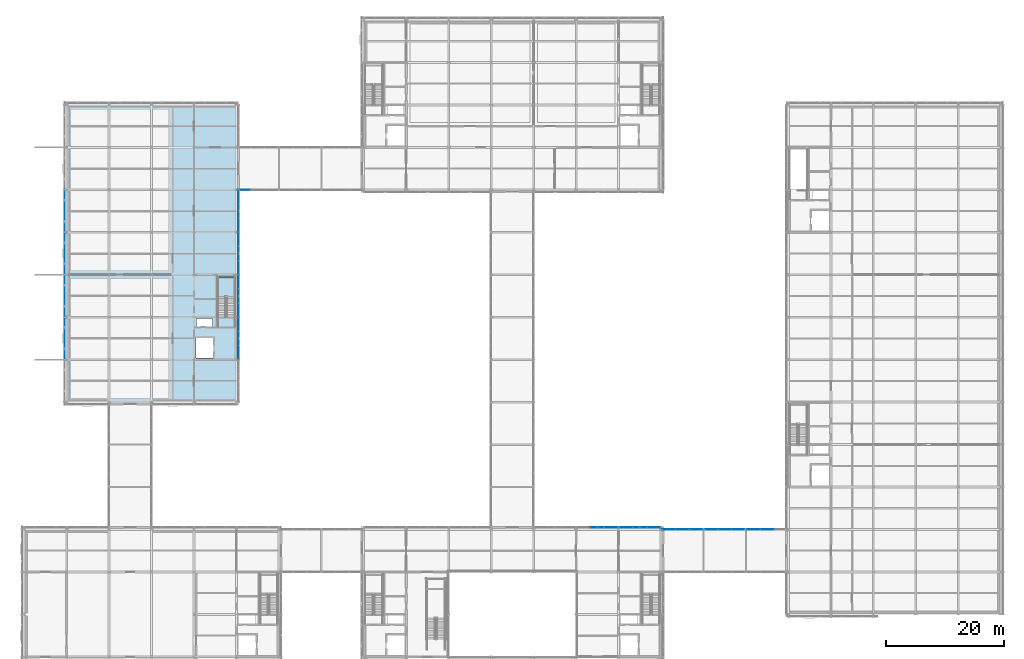
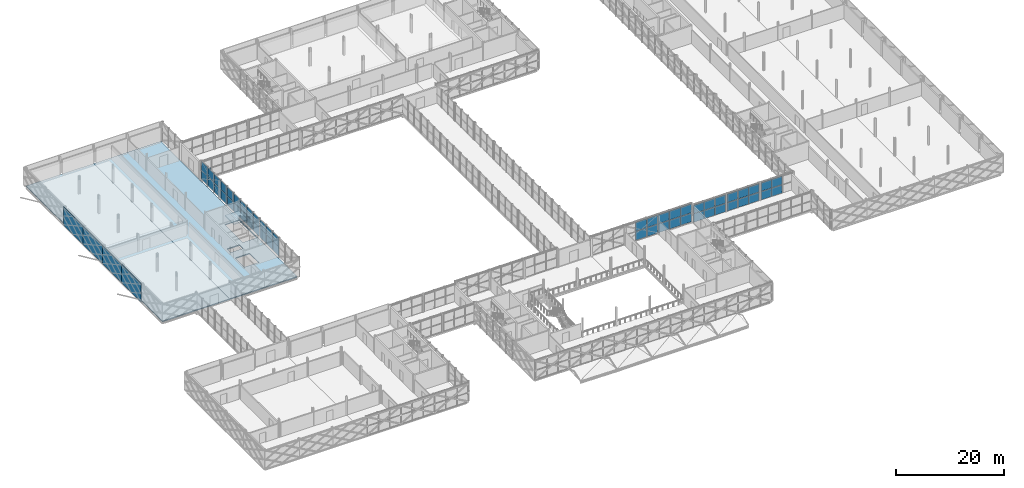
# One storey, part 91 of 146: 55 plates, 3 slabs, 11 elements without a shape of their own.
"""IFC4 building model written with IfcOpenShell, lengths in metres."""

from ifc_helpers import new_model, si_unit, direction, frame, origin, origin_2d, place, context, subcontext, project, spatial, polyline, rectangle, outline, extrude, material, layer, layer_set, type_object, element, aggregate, save


model = new_model("IFC4")

# Units and contexts
model_context = context("Model", 3, precision=1e-05, world=origin(), true_north=direction((0.0, 1.0)))
body_context = subcontext(model_context, "Body", "Model", "MODEL_VIEW")
ifc_project = project(units=[si_unit("LENGTHUNIT", "METRE"), si_unit("AREAUNIT", "SQUARE_METRE"), si_unit("VOLUMEUNIT", "CUBIC_METRE"), si_unit("PLANEANGLEUNIT", "RADIAN"), si_unit("MASSUNIT", "GRAM", prefix="KILO")], contexts=[model_context])

# Site, building, storey
site_placement = place(None, origin())
site = spatial("IfcSite", under=ifc_project, at=site_placement, CompositionType="ELEMENT")
building_placement = place(site_placement, origin())
building = spatial("IfcBuilding", under=site, at=building_placement, Name="Zlatovets Crest Museum", CompositionType="ELEMENT")
storey_placement = place(building_placement, frame((0.0, 0.0, 4.5)))
storey = spatial("IfcBuildingStorey", under=building, at=storey_placement, Name="L01", CompositionType="ELEMENT", Elevation=4.5)

# Curtain wall, plate
ifc_material_1 = material(Name="Bronze-anodised aluminium and low-E triple glass", Category="aluminium")
curtain_wall_type_1 = type_object("IfcCurtainWallType", Name="CW_CW-BR3-L01-S69", PredefinedType="NOTDEFINED", material=ifc_material_1)
curtain_wall_1_placement = place(storey_placement, origin())
curtain_wall_1 = element("IfcCurtainWall", 1, at=curtain_wall_1_placement, inside=storey, type_object=curtain_wall_type_1, Name="Northwest Crest Glazed Link Bridge L01 Glazed Bridge Curtain Wall", PredefinedType="NOTDEFINED")
ifc_material_2 = material(Name="Solar-control low-E laminated triple glass", Category="glass")
ifc_layer_1 = layer(ifc_material_2, 0.030029296875)
ifc_layer_set_1 = layer_set([ifc_layer_1], Name="Solar-control low-E laminated triple glass")
plate_type_1 = type_object("IfcPlateType", Name="CWPanel_CW-BR3-L01-S69", PredefinedType="CURTAIN_PANEL", material=ifc_layer_set_1)
plate_1_placement = place(storey_placement, frame((37.31494140625, 86.39990234375, 0.06005859375), z_axis=(0.0, 0.0, 1.0), x_axis=(1.0, 0.0, 0.0)))
plate_1 = element("IfcPlate", 2, at=plate_1_placement, type_object=plate_type_1, Name="CW-BR3-L01-S69 panel 1.1", PredefinedType="CURTAIN_PANEL", context=body_context, shape_type="SweptSolid", body=[
    extrude(rectangle(XDim=2.2099609375, YDim=0.030029296875, at=origin_2d()), origin(), (0.0, 0.0, 1.0), 1.89990234375),
])
aggregate(curtain_wall_1, [plate_1])

# Curtain wall, plates
curtain_wall_type_2 = type_object("IfcCurtainWallType", Name="CW_CW-BR4-L01-S69", PredefinedType="NOTDEFINED", material=ifc_material_1)
curtain_wall_2_placement = place(storey_placement, origin())
curtain_wall_2 = element("IfcCurtainWall", 3, at=curtain_wall_2_placement, inside=storey, type_object=curtain_wall_type_2, Name="Southeast Archive Glazed Link Bridge L01 Glazed Bridge Curtain Wall", PredefinedType="NOTDEFINED")
ifc_layer_2 = layer(ifc_material_2, 0.030029296875)
ifc_layer_set_2 = layer_set([ifc_layer_2], Name="Solar-control low-E laminated triple glass")
plate_type_2 = type_object("IfcPlateType", Name="CWPanel_CW-BR4-L01-S69", PredefinedType="CURTAIN_PANEL", material=ifc_layer_set_2)
plate_2_placement = place(storey_placement, frame((109.31494140625, 28.800048828125, 0.06005859375), z_axis=(0.0, 0.0, 1.0), x_axis=(1.0, 0.0, 0.0)))
plate_2 = element("IfcPlate", 4, at=plate_2_placement, type_object=plate_type_2, Name="CW-BR4-L01-S69 panel 1.1", PredefinedType="CURTAIN_PANEL", context=body_context, shape_type="SweptSolid", body=[
    extrude(rectangle(XDim=2.2099609375, YDim=0.030029296875, at=origin_2d()), origin(), (0.0, 0.0, 1.0), 1.89990234375),
])
plate_3_placement = place(storey_placement, frame((109.31494140625, 28.800048828125, 2.02001953125), z_axis=(0.0, 0.0, 1.0), x_axis=(1.0, 0.0, 0.0)))
plate_3 = element("IfcPlate", 5, at=plate_3_placement, type_object=plate_type_2, Name="CW-BR4-L01-S69 panel 1.2", PredefinedType="CURTAIN_PANEL", context=body_context, shape_type="SweptSolid", body=[
    extrude(rectangle(XDim=2.2099609375, YDim=0.030029296875, at=origin_2d()), origin(), (0.0, 0.0, 1.0), 1.89990234375),
])
plate_4_placement = place(storey_placement, frame((111.60009765625, 28.800048828125, 0.06005859375), z_axis=(0.0, 0.0, 1.0), x_axis=(1.0, 0.0, 0.0)))
plate_4 = element("IfcPlate", 6, at=plate_4_placement, type_object=plate_type_2, Name="CW-BR4-L01-S69 panel 2.1", PredefinedType="CURTAIN_PANEL", context=body_context, shape_type="SweptSolid", body=[
    extrude(rectangle(XDim=2.239990234375, YDim=0.030029296875, at=origin_2d()), origin(), (0.0, 0.0, 1.0), 1.89990234375),
])
plate_5_placement = place(storey_placement, frame((111.60009765625, 28.800048828125, 2.02001953125), z_axis=(0.0, 0.0, 1.0), x_axis=(1.0, 0.0, 0.0)))
plate_5 = element("IfcPlate", 7, at=plate_5_placement, type_object=plate_type_2, Name="CW-BR4-L01-S69 panel 2.2", PredefinedType="CURTAIN_PANEL", context=body_context, shape_type="SweptSolid", body=[
    extrude(rectangle(XDim=2.239990234375, YDim=0.030029296875, at=origin_2d()), origin(), (0.0, 0.0, 1.0), 1.89990234375),
])
plate_6_placement = place(storey_placement, frame((113.885009765625, 28.800048828125, 0.06005859375), z_axis=(0.0, 0.0, 1.0), x_axis=(1.0, 0.0, 0.0)))
plate_6 = element("IfcPlate", 8, at=plate_6_placement, type_object=plate_type_2, Name="CW-BR4-L01-S69 panel 3.1", PredefinedType="CURTAIN_PANEL", context=body_context, shape_type="SweptSolid", body=[
    extrude(rectangle(XDim=2.2099609375, YDim=0.030029296875, at=origin_2d()), origin(), (0.0, 0.0, 1.0), 1.89990234375),
])
plate_7_placement = place(storey_placement, frame((113.885009765625, 28.800048828125, 2.02001953125), z_axis=(0.0, 0.0, 1.0), x_axis=(1.0, 0.0, 0.0)))
plate_7 = element("IfcPlate", 9, at=plate_7_placement, type_object=plate_type_2, Name="CW-BR4-L01-S69 panel 3.2", PredefinedType="CURTAIN_PANEL", context=body_context, shape_type="SweptSolid", body=[
    extrude(rectangle(XDim=2.2099609375, YDim=0.030029296875, at=origin_2d()), origin(), (0.0, 0.0, 1.0), 1.89990234375),
])
aggregate(curtain_wall_2, [plate_2, plate_3, plate_4, plate_5, plate_6, plate_7])

curtain_wall_3_placement = place(storey_placement, origin())
curtain_wall_3 = element("IfcCurtainWall", 10, at=curtain_wall_3_placement, inside=storey, type_object=curtain_wall_type_2, Name="Southeast Archive Glazed Link Bridge L01 Glazed Bridge Curtain Wall", PredefinedType="NOTDEFINED")
plate_8_placement = place(storey_placement, frame((116.514892578125, 28.800048828125, 0.06005859375), z_axis=(0.0, 0.0, 1.0), x_axis=(1.0, 0.0, 0.0)))
plate_8 = element("IfcPlate", 11, at=plate_8_placement, type_object=plate_type_2, Name="CW-BR4-L01-S69 panel 1.1", PredefinedType="CURTAIN_PANEL", context=body_context, shape_type="SweptSolid", body=[
    extrude(rectangle(XDim=2.2099609375, YDim=0.030029296875, at=origin_2d()), origin(), (0.0, 0.0, 1.0), 1.89990234375),
])
plate_9_placement = place(storey_placement, frame((116.514892578125, 28.800048828125, 2.02001953125), z_axis=(0.0, 0.0, 1.0), x_axis=(1.0, 0.0, 0.0)))
plate_9 = element("IfcPlate", 12, at=plate_9_placement, type_object=plate_type_2, Name="CW-BR4-L01-S69 panel 1.2", PredefinedType="CURTAIN_PANEL", context=body_context, shape_type="SweptSolid", body=[
    extrude(rectangle(XDim=2.2099609375, YDim=0.030029296875, at=origin_2d()), origin(), (0.0, 0.0, 1.0), 1.89990234375),
])
plate_10_placement = place(storey_placement, frame((118.800048828125, 28.800048828125, 0.06005859375), z_axis=(0.0, 0.0, 1.0), x_axis=(1.0, 0.0, 0.0)))
plate_10 = element("IfcPlate", 13, at=plate_10_placement, type_object=plate_type_2, Name="CW-BR4-L01-S69 panel 2.1", PredefinedType="CURTAIN_PANEL", context=body_context, shape_type="SweptSolid", body=[
    extrude(rectangle(XDim=2.239990234375, YDim=0.030029296875, at=origin_2d()), origin(), (0.0, 0.0, 1.0), 1.89990234375),
])
plate_11_placement = place(storey_placement, frame((118.800048828125, 28.800048828125, 2.02001953125), z_axis=(0.0, 0.0, 1.0), x_axis=(1.0, 0.0, 0.0)))
plate_11 = element("IfcPlate", 14, at=plate_11_placement, type_object=plate_type_2, Name="CW-BR4-L01-S69 panel 2.2", PredefinedType="CURTAIN_PANEL", context=body_context, shape_type="SweptSolid", body=[
    extrude(rectangle(XDim=2.239990234375, YDim=0.030029296875, at=origin_2d()), origin(), (0.0, 0.0, 1.0), 1.89990234375),
])
plate_12_placement = place(storey_placement, frame((121.0849609375, 28.800048828125, 0.06005859375), z_axis=(0.0, 0.0, 1.0), x_axis=(1.0, 0.0, 0.0)))
plate_12 = element("IfcPlate", 15, at=plate_12_placement, type_object=plate_type_2, Name="CW-BR4-L01-S69 panel 3.1", PredefinedType="CURTAIN_PANEL", context=body_context, shape_type="SweptSolid", body=[
    extrude(rectangle(XDim=2.2099609375, YDim=0.030029296875, at=origin_2d()), origin(), (0.0, 0.0, 1.0), 1.89990234375),
])
plate_13_placement = place(storey_placement, frame((121.0849609375, 28.800048828125, 2.02001953125), z_axis=(0.0, 0.0, 1.0), x_axis=(1.0, 0.0, 0.0)))
plate_13 = element("IfcPlate", 16, at=plate_13_placement, type_object=plate_type_2, Name="CW-BR4-L01-S69 panel 3.2", PredefinedType="CURTAIN_PANEL", context=body_context, shape_type="SweptSolid", body=[
    extrude(rectangle(XDim=2.2099609375, YDim=0.030029296875, at=origin_2d()), origin(), (0.0, 0.0, 1.0), 1.89990234375),
])
aggregate(curtain_wall_3, [plate_8, plate_9, plate_10, plate_11, plate_12, plate_13])

curtain_wall_4_placement = place(storey_placement, origin())
curtain_wall_4 = element("IfcCurtainWall", 17, at=curtain_wall_4_placement, inside=storey, type_object=curtain_wall_type_2, Name="Southeast Archive Glazed Link Bridge L01 Glazed Bridge Curtain Wall", PredefinedType="NOTDEFINED")
plate_14_placement = place(storey_placement, frame((123.715087890625, 28.800048828125, 0.06005859375), z_axis=(0.0, 0.0, 1.0), x_axis=(1.0, 0.0, 0.0)))
plate_14 = element("IfcPlate", 18, at=plate_14_placement, type_object=plate_type_2, Name="CW-BR4-L01-S69 panel 1.1", PredefinedType="CURTAIN_PANEL", context=body_context, shape_type="SweptSolid", body=[
    extrude(rectangle(XDim=2.2099609375, YDim=0.030029296875, at=origin_2d()), origin(), (0.0, 0.0, 1.0), 1.89990234375),
])
plate_15_placement = place(storey_placement, frame((123.715087890625, 28.800048828125, 2.02001953125), z_axis=(0.0, 0.0, 1.0), x_axis=(1.0, 0.0, 0.0)))
plate_15 = element("IfcPlate", 19, at=plate_15_placement, type_object=plate_type_2, Name="CW-BR4-L01-S69 panel 1.2", PredefinedType="CURTAIN_PANEL", context=body_context, shape_type="SweptSolid", body=[
    extrude(rectangle(XDim=2.2099609375, YDim=0.030029296875, at=origin_2d()), origin(), (0.0, 0.0, 1.0), 1.89990234375),
])
plate_16_placement = place(storey_placement, frame((126.0, 28.800048828125, 0.06005859375), z_axis=(0.0, 0.0, 1.0), x_axis=(1.0, 0.0, 0.0)))
plate_16 = element("IfcPlate", 20, at=plate_16_placement, type_object=plate_type_2, Name="CW-BR4-L01-S69 panel 2.1", PredefinedType="CURTAIN_PANEL", context=body_context, shape_type="SweptSolid", body=[
    extrude(rectangle(XDim=2.239990234375, YDim=0.030029296875, at=origin_2d()), origin(), (0.0, 0.0, 1.0), 1.89990234375),
])
plate_17_placement = place(storey_placement, frame((126.0, 28.800048828125, 2.02001953125), z_axis=(0.0, 0.0, 1.0), x_axis=(1.0, 0.0, 0.0)))
plate_17 = element("IfcPlate", 21, at=plate_17_placement, type_object=plate_type_2, Name="CW-BR4-L01-S69 panel 2.2", PredefinedType="CURTAIN_PANEL", context=body_context, shape_type="SweptSolid", body=[
    extrude(rectangle(XDim=2.239990234375, YDim=0.030029296875, at=origin_2d()), origin(), (0.0, 0.0, 1.0), 1.89990234375),
])
aggregate(curtain_wall_4, [plate_14, plate_15, plate_16, plate_17])

curtain_wall_type_3 = type_object("IfcCurtainWallType", Name="CW_CW-V2-L01-M0", PredefinedType="NOTDEFINED", material=ifc_material_1)
curtain_wall_5_placement = place(storey_placement, origin())
curtain_wall_5 = element("IfcCurtainWall", 22, at=curtain_wall_5_placement, inside=storey, type_object=curtain_wall_type_3, Name="V2 L01 Secession Foyer Clear Curtain Wall", PredefinedType="NOTDEFINED")
ifc_layer_3 = layer(ifc_material_2, 0.028076171875)
ifc_layer_set_3 = layer_set([ifc_layer_3], Name="Solar-control low-E laminated triple glass")
plate_type_3 = type_object("IfcPlateType", Name="CWPanel_CW-V2-L01-M0", PredefinedType="CURTAIN_PANEL", material=ifc_layer_set_3)
plate_18_placement = place(storey_placement, frame((99.5849609375, 29.139892578125, 0.06005859375), z_axis=(0.0, 0.0, 1.0), x_axis=(-1.0, 0.0, 0.0)))
plate_18 = element("IfcPlate", 23, at=plate_18_placement, type_object=plate_type_3, Name="CW-V2-L01-M0 panel 1.1", PredefinedType="CURTAIN_PANEL", context=body_context, shape_type="SweptSolid", body=[
    extrude(rectangle(XDim=2.31005859375, YDim=0.028076171875, at=origin_2d()), origin(), (0.0, 0.0, 1.0), 2.010009765625),
])
plate_19_placement = place(storey_placement, frame((99.5849609375, 29.139892578125, 2.1298828125), z_axis=(0.0, 0.0, 1.0), x_axis=(-1.0, 0.0, 0.0)))
plate_19 = element("IfcPlate", 24, at=plate_19_placement, type_object=plate_type_3, Name="CW-V2-L01-M0 panel 1.2", PredefinedType="CURTAIN_PANEL", context=body_context, shape_type="SweptSolid", body=[
    extrude(rectangle(XDim=2.31005859375, YDim=0.028076171875, at=origin_2d()), origin(), (0.0, 0.0, 1.0), 2.010009765625),
])
plate_20_placement = place(storey_placement, frame((97.199951171875, 29.139892578125, 0.06005859375), z_axis=(0.0, 0.0, 1.0), x_axis=(-1.0, 0.0, 0.0)))
plate_20 = element("IfcPlate", 25, at=plate_20_placement, type_object=plate_type_3, Name="CW-V2-L01-M0 panel 2.1", PredefinedType="CURTAIN_PANEL", context=body_context, shape_type="SweptSolid", body=[
    extrude(rectangle(XDim=2.340087890625, YDim=0.028076171875, at=origin_2d()), origin(), (0.0, 0.0, 1.0), 2.010009765625),
])
plate_21_placement = place(storey_placement, frame((97.199951171875, 29.139892578125, 2.1298828125), z_axis=(0.0, 0.0, 1.0), x_axis=(-1.0, 0.0, 0.0)))
plate_21 = element("IfcPlate", 26, at=plate_21_placement, type_object=plate_type_3, Name="CW-V2-L01-M0 panel 2.2", PredefinedType="CURTAIN_PANEL", context=body_context, shape_type="SweptSolid", body=[
    extrude(rectangle(XDim=2.340087890625, YDim=0.028076171875, at=origin_2d()), origin(), (0.0, 0.0, 1.0), 2.010009765625),
])
aggregate(curtain_wall_5, [plate_18, plate_19, plate_20, plate_21])

curtain_wall_type_4 = type_object("IfcCurtainWallType", Name="CW_CW-V2-L01-M3", PredefinedType="NOTDEFINED", material=ifc_material_1)
curtain_wall_6_placement = place(storey_placement, origin())
curtain_wall_6 = element("IfcCurtainWall", 27, at=curtain_wall_6_placement, inside=storey, type_object=curtain_wall_type_4, Name="V2 L01 Secession Foyer Clear Curtain Wall", PredefinedType="NOTDEFINED")
ifc_layer_4 = layer(ifc_material_2, 0.0400390625)
ifc_layer_set_4 = layer_set([ifc_layer_4], Name="Solar-control low-E laminated triple glass")
plate_type_4 = type_object("IfcPlateType", Name="CWPanel_CW-V2-L01-M3", PredefinedType="CURTAIN_PANEL", material=ifc_layer_set_4)
plate_22_placement = place(storey_placement, frame((106.784912109375, 29.139892578125, 0.06005859375), z_axis=(0.0, 0.0, 1.0), x_axis=(-1.0, 0.0, 0.0)))
plate_22 = element("IfcPlate", 28, at=plate_22_placement, type_object=plate_type_4, Name="CW-V2-L01-M3 panel 1.1", PredefinedType="CURTAIN_PANEL", context=body_context, shape_type="SweptSolid", body=[
    extrude(rectangle(XDim=2.31005859375, YDim=0.0400390625, at=origin_2d()), origin(), (0.0, 0.0, 1.0), 2.010009765625),
])
plate_23_placement = place(storey_placement, frame((106.784912109375, 29.139892578125, 2.1298828125), z_axis=(0.0, 0.0, 1.0), x_axis=(-1.0, 0.0, 0.0)))
plate_23 = element("IfcPlate", 29, at=plate_23_placement, type_object=plate_type_4, Name="CW-V2-L01-M3 panel 1.2", PredefinedType="CURTAIN_PANEL", context=body_context, shape_type="SweptSolid", body=[
    extrude(rectangle(XDim=2.31005859375, YDim=0.0400390625, at=origin_2d()), origin(), (0.0, 0.0, 1.0), 2.010009765625),
])
plate_24_placement = place(storey_placement, frame((104.39990234375, 29.139892578125, 0.06005859375), z_axis=(0.0, 0.0, 1.0), x_axis=(-1.0, 0.0, 0.0)))
plate_24 = element("IfcPlate", 30, at=plate_24_placement, type_object=plate_type_4, Name="CW-V2-L01-M3 panel 2.1", PredefinedType="CURTAIN_PANEL", context=body_context, shape_type="SweptSolid", body=[
    extrude(rectangle(XDim=2.340087890625, YDim=0.0400390625, at=origin_2d()), origin(), (0.0, 0.0, 1.0), 2.010009765625),
])
plate_25_placement = place(storey_placement, frame((104.39990234375, 29.139892578125, 2.1298828125), z_axis=(0.0, 0.0, 1.0), x_axis=(-1.0, 0.0, 0.0)))
plate_25 = element("IfcPlate", 31, at=plate_25_placement, type_object=plate_type_4, Name="CW-V2-L01-M3 panel 2.2", PredefinedType="CURTAIN_PANEL", context=body_context, shape_type="SweptSolid", body=[
    extrude(rectangle(XDim=2.340087890625, YDim=0.0400390625, at=origin_2d()), origin(), (0.0, 0.0, 1.0), 2.010009765625),
])
plate_26_placement = place(storey_placement, frame((102.014892578125, 29.139892578125, 0.06005859375), z_axis=(0.0, 0.0, 1.0), x_axis=(-1.0, 0.0, 0.0)))
plate_26 = element("IfcPlate", 32, at=plate_26_placement, type_object=plate_type_4, Name="CW-V2-L01-M3 panel 3.1", PredefinedType="CURTAIN_PANEL", context=body_context, shape_type="SweptSolid", body=[
    extrude(rectangle(XDim=2.31005859375, YDim=0.0400390625, at=origin_2d()), origin(), (0.0, 0.0, 1.0), 2.010009765625),
])
plate_27_placement = place(storey_placement, frame((102.014892578125, 29.139892578125, 2.1298828125), z_axis=(0.0, 0.0, 1.0), x_axis=(-1.0, 0.0, 0.0)))
plate_27 = element("IfcPlate", 33, at=plate_27_placement, type_object=plate_type_4, Name="CW-V2-L01-M3 panel 3.2", PredefinedType="CURTAIN_PANEL", context=body_context, shape_type="SweptSolid", body=[
    extrude(rectangle(XDim=2.31005859375, YDim=0.0400390625, at=origin_2d()), origin(), (0.0, 0.0, 1.0), 2.010009765625),
])
aggregate(curtain_wall_6, [plate_22, plate_23, plate_24, plate_25, plate_26, plate_27])

curtain_wall_type_5 = type_object("IfcCurtainWallType", Name="CW_CW-V4-L01-M0", PredefinedType="NOTDEFINED", material=ifc_material_1)
curtain_wall_7_placement = place(storey_placement, origin())
curtain_wall_7 = element("IfcCurtainWall", 34, at=curtain_wall_7_placement, inside=storey, type_object=curtain_wall_type_5, Name="V4 L01 Secession Foyer Clear Curtain Wall", PredefinedType="NOTDEFINED")
ifc_layer_5 = layer(ifc_material_2, 0.028076171875)
ifc_layer_set_5 = layer_set([ifc_layer_5], Name="Solar-control low-E laminated triple glass")
plate_type_5 = type_object("IfcPlateType", Name="CWPanel_CW-V4-L01-M0", PredefinedType="CURTAIN_PANEL", material=ifc_layer_set_5)
plate_28_placement = place(storey_placement, frame((36.340087890625, 80.4150390625, 0.06005859375), z_axis=(0.0, 0.0, 1.0), x_axis=(0.0, 1.0, 0.0)))
plate_28 = element("IfcPlate", 35, at=plate_28_placement, type_object=plate_type_5, Name="CW-V4-L01-M0 panel 1.1", PredefinedType="CURTAIN_PANEL", context=body_context, shape_type="SweptSolid", body=[
    extrude(rectangle(XDim=2.31005859375, YDim=0.028076171875, at=origin_2d()), origin(), (0.0, 0.0, 1.0), 2.010009765625),
])
plate_29_placement = place(storey_placement, frame((36.340087890625, 80.4150390625, 2.1298828125), z_axis=(0.0, 0.0, 1.0), x_axis=(0.0, 1.0, 0.0)))
plate_29 = element("IfcPlate", 36, at=plate_29_placement, type_object=plate_type_5, Name="CW-V4-L01-M0 panel 1.2", PredefinedType="CURTAIN_PANEL", context=body_context, shape_type="SweptSolid", body=[
    extrude(rectangle(XDim=2.31005859375, YDim=0.028076171875, at=origin_2d()), origin(), (0.0, 0.0, 1.0), 2.010009765625),
])
plate_30_placement = place(storey_placement, frame((36.340087890625, 82.800048828125, 0.06005859375), z_axis=(0.0, 0.0, 1.0), x_axis=(0.0, 1.0, 0.0)))
plate_30 = element("IfcPlate", 37, at=plate_30_placement, type_object=plate_type_5, Name="CW-V4-L01-M0 panel 2.1", PredefinedType="CURTAIN_PANEL", context=body_context, shape_type="SweptSolid", body=[
    extrude(rectangle(XDim=2.340087890625, YDim=0.028076171875, at=origin_2d()), origin(), (0.0, 0.0, 1.0), 2.010009765625),
])
plate_31_placement = place(storey_placement, frame((36.340087890625, 82.800048828125, 2.1298828125), z_axis=(0.0, 0.0, 1.0), x_axis=(0.0, 1.0, 0.0)))
plate_31 = element("IfcPlate", 38, at=plate_31_placement, type_object=plate_type_5, Name="CW-V4-L01-M0 panel 2.2", PredefinedType="CURTAIN_PANEL", context=body_context, shape_type="SweptSolid", body=[
    extrude(rectangle(XDim=2.340087890625, YDim=0.028076171875, at=origin_2d()), origin(), (0.0, 0.0, 1.0), 2.010009765625),
])
plate_32_placement = place(storey_placement, frame((36.340087890625, 85.18505859375, 0.06005859375), z_axis=(0.0, 0.0, 1.0), x_axis=(0.0, 1.0, 0.0)))
plate_32 = element("IfcPlate", 39, at=plate_32_placement, type_object=plate_type_5, Name="CW-V4-L01-M0 panel 3.1", PredefinedType="CURTAIN_PANEL", context=body_context, shape_type="SweptSolid", body=[
    extrude(rectangle(XDim=2.31005859375, YDim=0.028076171875, at=origin_2d()), origin(), (0.0, 0.0, 1.0), 2.010009765625),
])
plate_33_placement = place(storey_placement, frame((36.340087890625, 85.18505859375, 2.1298828125), z_axis=(0.0, 0.0, 1.0), x_axis=(0.0, 1.0, 0.0)))
plate_33 = element("IfcPlate", 40, at=plate_33_placement, type_object=plate_type_5, Name="CW-V4-L01-M0 panel 3.2", PredefinedType="CURTAIN_PANEL", context=body_context, shape_type="SweptSolid", body=[
    extrude(rectangle(XDim=2.31005859375, YDim=0.028076171875, at=origin_2d()), origin(), (0.0, 0.0, 1.0), 2.010009765625),
])
aggregate(curtain_wall_7, [plate_28, plate_29, plate_30, plate_31, plate_32, plate_33])

curtain_wall_type_6 = type_object("IfcCurtainWallType", Name="CW_CW-V4-L01-M1", PredefinedType="NOTDEFINED", material=ifc_material_1)
curtain_wall_8_placement = place(storey_placement, origin())
curtain_wall_8 = element("IfcCurtainWall", 41, at=curtain_wall_8_placement, inside=storey, type_object=curtain_wall_type_6, Name="V4 L01 Expressed Core Glazed Facade", PredefinedType="NOTDEFINED")
ifc_layer_6 = layer(ifc_material_2, 0.030029296875)
ifc_layer_set_6 = layer_set([ifc_layer_6], Name="Solar-control low-E laminated triple glass")
plate_type_6 = type_object("IfcPlateType", Name="CWPanel_CW-V4-L01-M1", PredefinedType="CURTAIN_PANEL", material=ifc_layer_set_6)
plate_34_placement = place(storey_placement, frame((36.340087890625, 58.81494140625, 0.06005859375), z_axis=(0.0, 0.0, 1.0), x_axis=(0.0, 1.0, 0.0)))
plate_34 = element("IfcPlate", 42, at=plate_34_placement, type_object=plate_type_6, Name="CW-V4-L01-M1 panel 1.1", PredefinedType="CURTAIN_PANEL", context=body_context, shape_type="SweptSolid", body=[
    extrude(rectangle(XDim=2.31005859375, YDim=0.030029296875, at=origin_2d()), origin(), (0.0, 0.0, 1.0), 2.010009765625),
])
plate_35_placement = place(storey_placement, frame((36.340087890625, 58.81494140625, 2.1298828125), z_axis=(0.0, 0.0, 1.0), x_axis=(0.0, 1.0, 0.0)))
plate_35 = element("IfcPlate", 43, at=plate_35_placement, type_object=plate_type_6, Name="CW-V4-L01-M1 panel 1.2", PredefinedType="CURTAIN_PANEL", context=body_context, shape_type="SweptSolid", body=[
    extrude(rectangle(XDim=2.31005859375, YDim=0.030029296875, at=origin_2d()), origin(), (0.0, 0.0, 1.0), 2.010009765625),
])
plate_36_placement = place(storey_placement, frame((36.340087890625, 61.199951171875, 0.06005859375), z_axis=(0.0, 0.0, 1.0), x_axis=(0.0, 1.0, 0.0)))
plate_36 = element("IfcPlate", 44, at=plate_36_placement, type_object=plate_type_6, Name="CW-V4-L01-M1 panel 2.1", PredefinedType="CURTAIN_PANEL", context=body_context, shape_type="SweptSolid", body=[
    extrude(rectangle(XDim=2.340087890625, YDim=0.030029296875, at=origin_2d()), origin(), (0.0, 0.0, 1.0), 2.010009765625),
])
plate_37_placement = place(storey_placement, frame((36.340087890625, 61.199951171875, 2.1298828125), z_axis=(0.0, 0.0, 1.0), x_axis=(0.0, 1.0, 0.0)))
plate_37 = element("IfcPlate", 45, at=plate_37_placement, type_object=plate_type_6, Name="CW-V4-L01-M1 panel 2.2", PredefinedType="CURTAIN_PANEL", context=body_context, shape_type="SweptSolid", body=[
    extrude(rectangle(XDim=2.340087890625, YDim=0.030029296875, at=origin_2d()), origin(), (0.0, 0.0, 1.0), 2.010009765625),
])
plate_38_placement = place(storey_placement, frame((36.340087890625, 63.5849609375, 0.06005859375), z_axis=(0.0, 0.0, 1.0), x_axis=(0.0, 1.0, 0.0)))
plate_38 = element("IfcPlate", 46, at=plate_38_placement, type_object=plate_type_6, Name="CW-V4-L01-M1 panel 3.1", PredefinedType="CURTAIN_PANEL", context=body_context, shape_type="SweptSolid", body=[
    extrude(rectangle(XDim=2.31005859375, YDim=0.030029296875, at=origin_2d()), origin(), (0.0, 0.0, 1.0), 2.010009765625),
])
plate_39_placement = place(storey_placement, frame((36.340087890625, 63.5849609375, 2.1298828125), z_axis=(0.0, 0.0, 1.0), x_axis=(0.0, 1.0, 0.0)))
plate_39 = element("IfcPlate", 47, at=plate_39_placement, type_object=plate_type_6, Name="CW-V4-L01-M1 panel 3.2", PredefinedType="CURTAIN_PANEL", context=body_context, shape_type="SweptSolid", body=[
    extrude(rectangle(XDim=2.31005859375, YDim=0.030029296875, at=origin_2d()), origin(), (0.0, 0.0, 1.0), 2.010009765625),
])
aggregate(curtain_wall_8, [plate_34, plate_35, plate_36, plate_37, plate_38, plate_39])

curtain_wall_type_7 = type_object("IfcCurtainWallType", Name="CW_CW-V4-L01-M2", PredefinedType="NOTDEFINED", material=ifc_material_1)
curtain_wall_9_placement = place(storey_placement, origin())
curtain_wall_9 = element("IfcCurtainWall", 48, at=curtain_wall_9_placement, inside=storey, type_object=curtain_wall_type_7, Name="V4 L01 Expressed Core Glazed Facade", PredefinedType="NOTDEFINED")
ifc_layer_7 = layer(ifc_material_2, 0.030029296875)
ifc_layer_set_7 = layer_set([ifc_layer_7], Name="Solar-control low-E laminated triple glass")
plate_type_7 = type_object("IfcPlateType", Name="CWPanel_CW-V4-L01-M2", PredefinedType="CURTAIN_PANEL", material=ifc_layer_set_7)
plate_40_placement = place(storey_placement, frame((36.340087890625, 66.014892578125, 0.06005859375), z_axis=(0.0, 0.0, 1.0), x_axis=(0.0, 1.0, 0.0)))
plate_40 = element("IfcPlate", 49, at=plate_40_placement, type_object=plate_type_7, Name="CW-V4-L01-M2 panel 1.1", PredefinedType="CURTAIN_PANEL", context=body_context, shape_type="SweptSolid", body=[
    extrude(rectangle(XDim=2.31005859375, YDim=0.030029296875, at=origin_2d()), origin(), (0.0, 0.0, 1.0), 2.010009765625),
])
plate_41_placement = place(storey_placement, frame((36.340087890625, 66.014892578125, 2.1298828125), z_axis=(0.0, 0.0, 1.0), x_axis=(0.0, 1.0, 0.0)))
plate_41 = element("IfcPlate", 50, at=plate_41_placement, type_object=plate_type_7, Name="CW-V4-L01-M2 panel 1.2", PredefinedType="CURTAIN_PANEL", context=body_context, shape_type="SweptSolid", body=[
    extrude(rectangle(XDim=2.31005859375, YDim=0.030029296875, at=origin_2d()), origin(), (0.0, 0.0, 1.0), 2.010009765625),
])
plate_42_placement = place(storey_placement, frame((36.340087890625, 68.39990234375, 0.06005859375), z_axis=(0.0, 0.0, 1.0), x_axis=(0.0, 1.0, 0.0)))
plate_42 = element("IfcPlate", 51, at=plate_42_placement, type_object=plate_type_7, Name="CW-V4-L01-M2 panel 2.1", PredefinedType="CURTAIN_PANEL", context=body_context, shape_type="SweptSolid", body=[
    extrude(rectangle(XDim=2.340087890625, YDim=0.030029296875, at=origin_2d()), origin(), (0.0, 0.0, 1.0), 2.010009765625),
])
plate_43_placement = place(storey_placement, frame((36.340087890625, 68.39990234375, 2.1298828125), z_axis=(0.0, 0.0, 1.0), x_axis=(0.0, 1.0, 0.0)))
plate_43 = element("IfcPlate", 52, at=plate_43_placement, type_object=plate_type_7, Name="CW-V4-L01-M2 panel 2.2", PredefinedType="CURTAIN_PANEL", context=body_context, shape_type="SweptSolid", body=[
    extrude(rectangle(XDim=2.340087890625, YDim=0.030029296875, at=origin_2d()), origin(), (0.0, 0.0, 1.0), 2.010009765625),
])
plate_44_placement = place(storey_placement, frame((36.340087890625, 70.784912109375, 0.06005859375), z_axis=(0.0, 0.0, 1.0), x_axis=(0.0, 1.0, 0.0)))
plate_44 = element("IfcPlate", 53, at=plate_44_placement, type_object=plate_type_7, Name="CW-V4-L01-M2 panel 3.1", PredefinedType="CURTAIN_PANEL", context=body_context, shape_type="SweptSolid", body=[
    extrude(rectangle(XDim=2.31005859375, YDim=0.030029296875, at=origin_2d()), origin(), (0.0, 0.0, 1.0), 2.010009765625),
])
plate_45_placement = place(storey_placement, frame((36.340087890625, 70.784912109375, 2.1298828125), z_axis=(0.0, 0.0, 1.0), x_axis=(0.0, 1.0, 0.0)))
plate_45 = element("IfcPlate", 54, at=plate_45_placement, type_object=plate_type_7, Name="CW-V4-L01-M2 panel 3.2", PredefinedType="CURTAIN_PANEL", context=body_context, shape_type="SweptSolid", body=[
    extrude(rectangle(XDim=2.31005859375, YDim=0.030029296875, at=origin_2d()), origin(), (0.0, 0.0, 1.0), 2.010009765625),
])
aggregate(curtain_wall_9, [plate_40, plate_41, plate_42, plate_43, plate_44, plate_45])

curtain_wall_type_8 = type_object("IfcCurtainWallType", Name="CW_CW-V4-L01-M3", PredefinedType="NOTDEFINED", material=ifc_material_1)
curtain_wall_10_placement = place(storey_placement, origin())
curtain_wall_10 = element("IfcCurtainWall", 55, at=curtain_wall_10_placement, inside=storey, type_object=curtain_wall_type_8, Name="V4 L01 Secession Foyer Clear Curtain Wall", PredefinedType="NOTDEFINED")
ifc_layer_8 = layer(ifc_material_2, 0.0400390625)
ifc_layer_set_8 = layer_set([ifc_layer_8], Name="Solar-control low-E laminated triple glass")
plate_type_8 = type_object("IfcPlateType", Name="CWPanel_CW-V4-L01-M3", PredefinedType="CURTAIN_PANEL", material=ifc_layer_set_8)
plate_46_placement = place(storey_placement, frame((36.340087890625, 73.215087890625, 0.06005859375), z_axis=(0.0, 0.0, 1.0), x_axis=(0.0, 1.0, 0.0)))
plate_46 = element("IfcPlate", 56, at=plate_46_placement, type_object=plate_type_8, Name="CW-V4-L01-M3 panel 1.1", PredefinedType="CURTAIN_PANEL", context=body_context, shape_type="SweptSolid", body=[
    extrude(rectangle(XDim=2.31005859375, YDim=0.0400390625, at=origin_2d()), origin(), (0.0, 0.0, 1.0), 2.010009765625),
])
plate_47_placement = place(storey_placement, frame((36.340087890625, 73.215087890625, 2.1298828125), z_axis=(0.0, 0.0, 1.0), x_axis=(0.0, 1.0, 0.0)))
plate_47 = element("IfcPlate", 57, at=plate_47_placement, type_object=plate_type_8, Name="CW-V4-L01-M3 panel 1.2", PredefinedType="CURTAIN_PANEL", context=body_context, shape_type="SweptSolid", body=[
    extrude(rectangle(XDim=2.31005859375, YDim=0.0400390625, at=origin_2d()), origin(), (0.0, 0.0, 1.0), 2.010009765625),
])
plate_48_placement = place(storey_placement, frame((36.340087890625, 75.60009765625, 0.06005859375), z_axis=(0.0, 0.0, 1.0), x_axis=(0.0, 1.0, 0.0)))
plate_48 = element("IfcPlate", 58, at=plate_48_placement, type_object=plate_type_8, Name="CW-V4-L01-M3 panel 2.1", PredefinedType="CURTAIN_PANEL", context=body_context, shape_type="SweptSolid", body=[
    extrude(rectangle(XDim=2.340087890625, YDim=0.0400390625, at=origin_2d()), origin(), (0.0, 0.0, 1.0), 2.010009765625),
])
plate_49_placement = place(storey_placement, frame((36.340087890625, 75.60009765625, 2.1298828125), z_axis=(0.0, 0.0, 1.0), x_axis=(0.0, 1.0, 0.0)))
plate_49 = element("IfcPlate", 59, at=plate_49_placement, type_object=plate_type_8, Name="CW-V4-L01-M3 panel 2.2", PredefinedType="CURTAIN_PANEL", context=body_context, shape_type="SweptSolid", body=[
    extrude(rectangle(XDim=2.340087890625, YDim=0.0400390625, at=origin_2d()), origin(), (0.0, 0.0, 1.0), 2.010009765625),
])
plate_50_placement = place(storey_placement, frame((36.340087890625, 77.985107421875, 0.06005859375), z_axis=(0.0, 0.0, 1.0), x_axis=(0.0, 1.0, 0.0)))
plate_50 = element("IfcPlate", 60, at=plate_50_placement, type_object=plate_type_8, Name="CW-V4-L01-M3 panel 3.1", PredefinedType="CURTAIN_PANEL", context=body_context, shape_type="SweptSolid", body=[
    extrude(rectangle(XDim=2.31005859375, YDim=0.0400390625, at=origin_2d()), origin(), (0.0, 0.0, 1.0), 2.010009765625),
])
plate_51_placement = place(storey_placement, frame((36.340087890625, 77.985107421875, 2.1298828125), z_axis=(0.0, 0.0, 1.0), x_axis=(0.0, 1.0, 0.0)))
plate_51 = element("IfcPlate", 61, at=plate_51_placement, type_object=plate_type_8, Name="CW-V4-L01-M3 panel 3.2", PredefinedType="CURTAIN_PANEL", context=body_context, shape_type="SweptSolid", body=[
    extrude(rectangle(XDim=2.31005859375, YDim=0.0400390625, at=origin_2d()), origin(), (0.0, 0.0, 1.0), 2.010009765625),
])
aggregate(curtain_wall_10, [plate_46, plate_47, plate_48, plate_49, plate_50, plate_51])

# Plates
ifc_material_3 = material(Name="Ceramic-fritted low-E laminated architectural glass", Category="glass")
ifc_layer_9 = layer(ifc_material_3, 0.031982421875)
ifc_layer_set_9 = layer_set([ifc_layer_9], Name="Ceramic-fritted low-E laminated architectural glass")
plate_type_9 = type_object("IfcPlateType", Name="GlazedSpandrel_GSP1", PredefinedType="USERDEFINED", material=ifc_layer_set_9)
for number, where, z_axis, x_axis, name in (
    (62, (6.860107421875, 82.800048828125, 0.0), (0.0, 0.0, 1.0), (0.0, 1.0, 0.0), "V4 L01 Ceramic-Fritted Gallery Glass Skin"),
    (63, (6.860107421875, 75.60009765625, 0.0), (0.0, 0.0, 1.0), (0.0, 1.0, 0.0), "V4 L01 Ceramic-Fritted Gallery Glass Skin"),
    (64, (6.860107421875, 68.39990234375, 0.0), (0.0, 0.0, 1.0), (0.0, 1.0, 0.0), "V4 L01 Ceramic-Fritted Gallery Glass Skin"),
    (65, (6.860107421875, 61.199951171875, 0.0), (0.0, 0.0, 1.0), (0.0, 1.0, 0.0), "V4 L01 Ceramic-Fritted Gallery Glass Skin"),
):
    element("IfcPlate", number, at=place(storey_placement, frame(where, z_axis=z_axis, x_axis=x_axis)), inside=storey, type_object=plate_type_9, Name=name, ObjectType="GLAZED_SPANDREL", PredefinedType="USERDEFINED", context=body_context, shape_type="SweptSolid", body=[
        extrude(rectangle(XDim=7.199951171875, YDim=0.031982421875, at=origin_2d()), origin(), (0.0, 0.0, 1.0), 4.199951171875),
    ])

# Slabs
ifc_material_4 = material(Name="Concrete C30/37", Category="concrete")
ifc_layer_10 = layer(ifc_material_4, 0.219970703125)
ifc_layer_set_10 = layer_set([ifc_layer_10], Name="Concrete C30/37")
slab_type_1 = type_object("IfcSlabType", Name="Slab_FS-02", PredefinedType="FLOOR", material=ifc_layer_set_10)
slab_1_placement = place(storey_placement, frame((0.0, 0.0, -0.219970703125)))
element("IfcSlab", 66, at=slab_1_placement, inside=storey, type_object=slab_type_1, Name="V4 L01 Structural Slab Panel 1", PredefinedType="FLOOR", context=body_context, shape_type="SweptSolid", body=[
    extrude(outline(polyline([(21.60009765625, 50.39990234375), (7.199951171875, 50.39990234375), (7.199951171875, 100.800048828125), (21.60009765625, 100.800048828125), (21.60009765625, 50.39990234375)])), origin(), (0.0, 0.0, 1.0), 0.219970703125),
])
slab_2_placement = place(storey_placement, frame((0.0, 0.0, -0.219970703125)))
element("IfcSlab", 67, at=slab_2_placement, inside=storey, type_object=slab_type_1, Name="V4 L01 Structural Slab Panel 2", PredefinedType="FLOOR", context=body_context, shape_type="SweptSolid", body=[
    extrude(outline(polyline([(21.60009765625, 100.800048828125), (36.0, 100.800048828125), (36.0, 50.39990234375), (21.60009765625, 50.39990234375), (21.60009765625, 100.800048828125)]), holes=[polyline([(32.800048828125, 64.93994140625), (35.800048828125, 64.93994140625), (35.800048828125, 71.60009765625), (32.800048828125, 71.60009765625), (32.800048828125, 64.93994140625)]), polyline([(29.10009765625, 61.300048828125), (29.10009765625, 57.89990234375), (32.14990234375, 57.89990234375), (32.14990234375, 61.300048828125), (29.10009765625, 61.300048828125)]), polyline([(31.89990234375, 64.60009765625), (29.25, 64.60009765625), (29.25, 63.25), (31.89990234375, 63.25), (31.89990234375, 64.60009765625)])]), origin(), (0.0, 0.0, 1.0), 0.219970703125),
])

# Stair, slab
ifc_material_5 = material(Name="Concrete C35/45", Category="concrete")
stair_type = type_object("IfcStairType", Name="Stair_ST4-26R", PredefinedType="HALF_TURN_STAIR", material=ifc_material_5)
stair_placement = place(storey_placement, origin())
stair = element("IfcStair", 68, at=stair_placement, inside=storey, type_object=stair_type, Name="L01 Core C4 Escape Stair ST4", PredefinedType="HALF_TURN_STAIR")
ifc_layer_11 = layer(ifc_material_5, 0.199951171875)
ifc_layer_set_11 = layer_set([ifc_layer_11], Name="Concrete C35/45")
slab_type_2 = type_object("IfcSlabType", Name="StairLanding_SLD1", PredefinedType="LANDING", material=ifc_layer_set_11)
slab_3_placement = place(storey_placement, frame((0.0, 0.0, 1.89990234375)))
slab_3 = element("IfcSlab", 69, at=slab_3_placement, type_object=slab_type_2, Name="ST4 landing 1", PredefinedType="LANDING", context=body_context, shape_type="SweptSolid", body=[
    extrude(outline(polyline([(35.800048828125, 68.300048828125), (35.800048828125, 71.60009765625), (32.800048828125, 71.60009765625), (32.800048828125, 68.300048828125), (35.800048828125, 68.300048828125)])), origin(), (0.0, 0.0, 1.0), 0.2001953125),
])
aggregate(stair, [slab_3])

save(model, "model.ifc")
